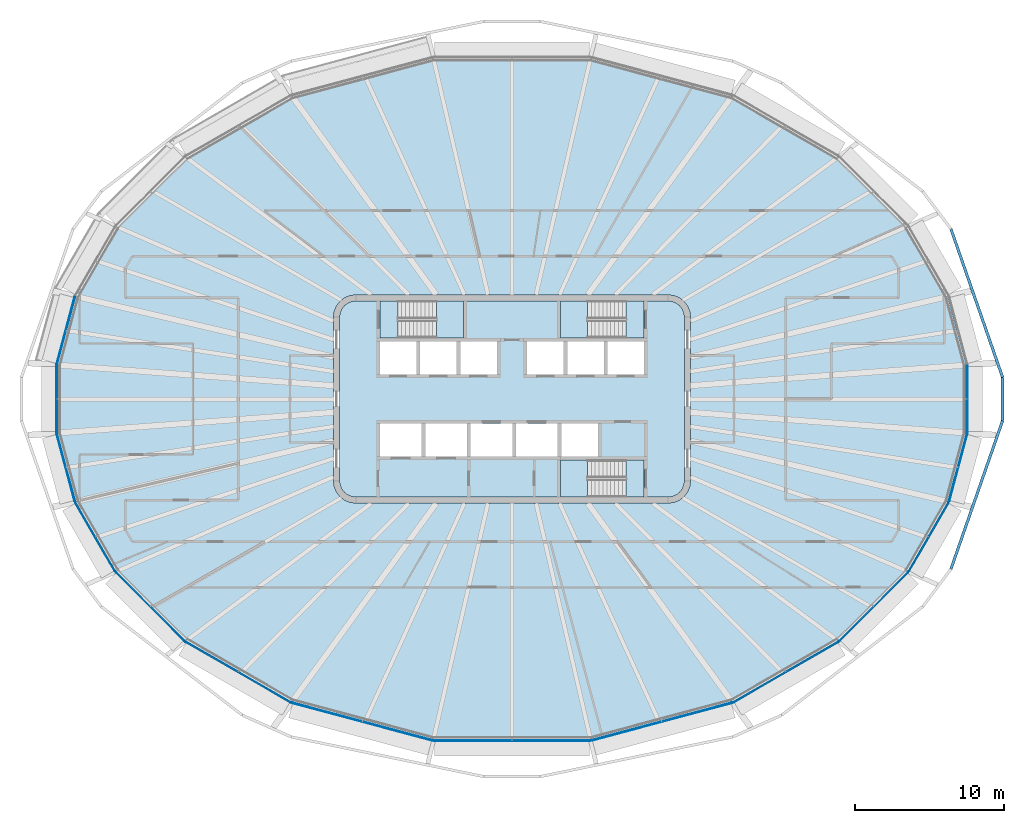
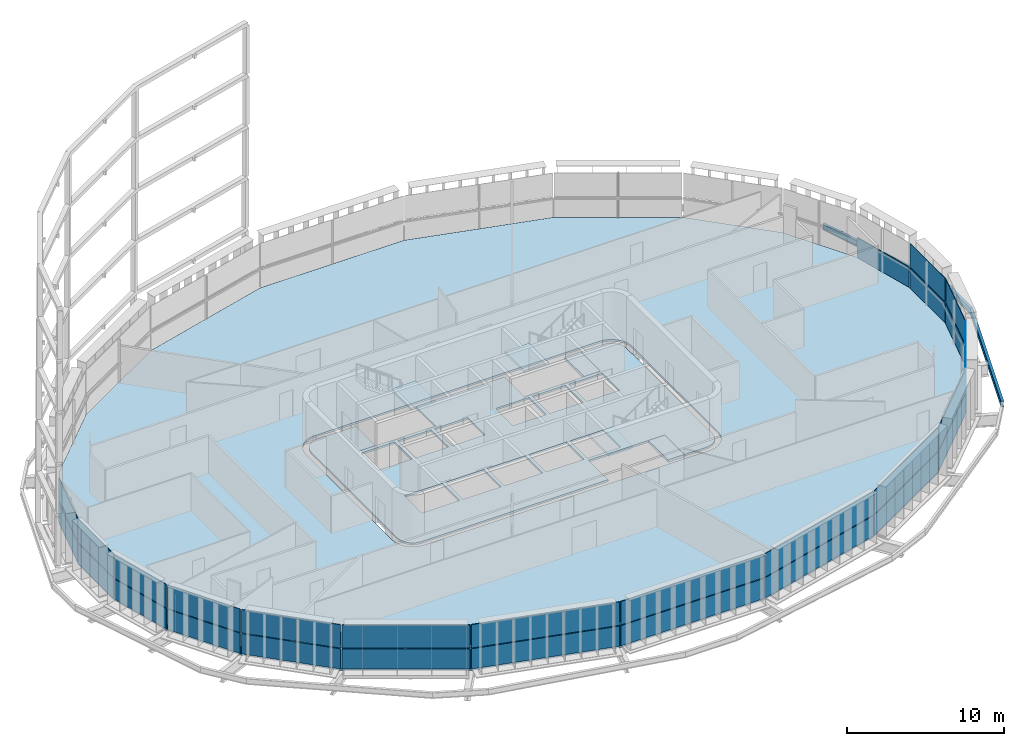
# One storey, part 8 of 20: 29 plates, 8 slabs, 3 beams, 18 elements without a shape of their own.
"""IFC4 building model written with IfcOpenShell, lengths in metres."""

from ifc_helpers import new_model, si_unit, direction, frame, origin, origin_2d, place, context, subcontext, project, spatial, polyline, i_section, outline, extrude, material, layer, layer_set, material_profile, profile_set, type_object, element, aggregate, save


model = new_model("IFC4")

# Units and contexts
model_context = context("Model", 3, precision=1e-05, world=origin(), true_north=direction((0.0, 1.0)))
body_context = subcontext(model_context, "Body", "Model", "MODEL_VIEW")
ifc_project = project(units=[si_unit("LENGTHUNIT", "METRE"), si_unit("AREAUNIT", "SQUARE_METRE"), si_unit("VOLUMEUNIT", "CUBIC_METRE"), si_unit("PLANEANGLEUNIT", "RADIAN"), si_unit("MASSUNIT", "GRAM", prefix="KILO")], contexts=[model_context])

# Site, building, storey
site_placement = place(None, origin())
site = spatial("IfcSite", under=ifc_project, at=site_placement, CompositionType="ELEMENT")
building_placement = place(site_placement, origin())
building = spatial("IfcBuilding", under=site, at=building_placement, Name="Sahrelin Media Tower", CompositionType="ELEMENT")
storey_placement = place(building_placement, frame((0.0, 0.0, 213.60009765625)))
storey = spatial("IfcBuildingStorey", under=building, at=storey_placement, Name="L45", CompositionType="ELEMENT", Elevation=213.60009765625)

# Beams
ifc_material_1 = material(Name="Steel S355", Category="steel")
ifc_material_profile = material_profile(ifc_material_1, i_section(OverallWidth=0.1904296875, OverallDepth=0.45703125, WebThickness=0.009033203125, FlangeThickness=0.014404296875, FilletRadius=0.01025390625, at=origin_2d()), Name="UB 457x191x74")
ifc_profile_set = profile_set([ifc_material_profile], Name="Steel S355")
beam_type = type_object("IfcBeamType", Name="Tie chord TC5", PredefinedType="BEAM", material=ifc_profile_set)
for number, where, z_axis, x_axis, name in (
    (1, (32.978515625, 1.457763671875, -0.378662109375), (-0.328783385731, 0.944405360673, 0.0), (-0.944405360673, -0.328783385731, 0.0), "Tie chord L45-01"),
    (2, (29.507080078125, -11.42919921875, -0.378662109375), (0.328783385731, 0.944405360673, 0.0), (-0.944405360673, 0.328783385731, 0.0), "Tie chord L45-23"),
):
    element("IfcBeam", number, at=place(storey_placement, frame(where, z_axis=z_axis, x_axis=x_axis)), inside=storey, type_object=beam_type, Name=name, PredefinedType="BEAM", context=body_context, shape_type="SweptSolid", body=[
        extrude(i_section(OverallWidth=0.1904296875, OverallDepth=0.45703125, WebThickness=0.009033203125, FlangeThickness=0.014404296875, FilletRadius=0.01025390625, at=origin_2d()), origin(), (0.0, 0.0, 1.0), 10.558349609375),
    ])
beam_placement = place(storey_placement, frame((32.978515625, -1.457763671875, -0.378662109375), z_axis=(0.0, 1.0, 0.0), x_axis=(-1.0, 0.0, 0.0)))
element("IfcBeam", 3, at=beam_placement, inside=storey, type_object=beam_type, Name="Tie chord L45-24", PredefinedType="BEAM", context=body_context, shape_type="SweptSolid", body=[
    extrude(i_section(OverallWidth=0.1904296875, OverallDepth=0.45703125, WebThickness=0.009033203125, FlangeThickness=0.014404296875, FilletRadius=0.01025390625, at=origin_2d()), origin(), (0.0, 0.0, 1.0), 2.91552734375),
])

# Slabs
ifc_material_2 = material(Name="Concrete C40/50", Category="concrete")
ifc_layer_1 = layer(ifc_material_2, 0.14990234375)
ifc_layer_set_1 = layer_set([ifc_layer_1], Name="Composite floor slab 150")
slab_type_1 = type_object("IfcSlabType", Name="Composite floor slab 150", PredefinedType="FLOOR", material=ifc_layer_set_1)
placement_1 = place(storey_placement, frame((0.0, 0.0, -0.150146484375)))
element("IfcSlab", 4, at=placement_1, inside=storey, type_object=slab_type_1, Name="Floor slab L45", PredefinedType="FLOOR", context=body_context, shape_type="SweptSolid", body=[
    extrude(outline(polyline([(30.601806640625, -2.285400390625), (30.601806640625, 2.285400390625), (29.364501953125, 6.90283203125), (26.64453125, 11.614013671875), (21.970703125, 16.28759765625), (14.8359375, 20.406982421875), (5.2998046875, 22.962158203125), (-5.2998046875, 22.962158203125), (-14.8359375, 20.406982421875), (-21.970703125, 16.28759765625), (-26.64453125, 11.614013671875), (-29.364501953125, 6.90283203125), (-30.601806640625, 2.285400390625), (-30.601806640625, -2.285400390625), (-29.364501953125, -6.90283203125), (-26.64453125, -11.614013671875), (-21.970703125, -16.28759765625), (-14.8359375, -20.406982421875), (-5.2998046875, -22.962158203125), (5.2998046875, -22.962158203125), (14.8359375, -20.406982421875), (21.970703125, -16.28759765625), (26.64453125, -11.614013671875), (29.364501953125, -6.90283203125), (30.601806640625, -2.285400390625)]), holes=[polyline([(11.948974609375, 5.88818359375), (12.0, 5.5), (12.0, -5.5), (11.948974609375, -5.88818359375), (11.799072265625, -6.25), (11.560791015625, -6.560791015625), (11.25, -6.799072265625), (10.88818359375, -6.948974609375), (10.5, -7.0), (-10.5, -7.0), (-10.88818359375, -6.948974609375), (-11.25, -6.799072265625), (-11.560791015625, -6.560791015625), (-11.799072265625, -6.25), (-11.948974609375, -5.88818359375), (-12.0, -5.5), (-12.0, 5.5), (-11.948974609375, 5.88818359375), (-11.799072265625, 6.25), (-11.560791015625, 6.560791015625), (-11.25, 6.799072265625), (-10.88818359375, 6.948974609375), (-10.5, 7.0), (10.5, 7.0), (10.88818359375, 6.948974609375), (11.25, 6.799072265625), (11.560791015625, 6.560791015625), (11.799072265625, 6.25), (11.948974609375, 5.88818359375)])]), origin(), (0.0, 0.0, 1.0), 0.150146484375),
])
ifc_layer_2 = layer(ifc_material_2, 0.14990234375)
ifc_layer_set_2 = layer_set([ifc_layer_2], Name="Core floor slab 150")
slab_type_2 = type_object("IfcSlabType", Name="Core floor slab 150", PredefinedType="FLOOR", material=ifc_layer_set_2)
element("IfcSlab", 5, at=placement_1, inside=storey, type_object=slab_type_2, Name="Core floor", PredefinedType="FLOOR", context=body_context, shape_type="SweptSolid", body=[
    extrude(outline(polyline([(-11.60009765625, -5.473876953125), (-11.55908203125, -5.78369140625), (-11.44970703125, -6.04833984375), (-11.275390625, -6.275390625), (-11.04833984375, -6.44970703125), (-10.78369140625, -6.55908203125), (-10.473876953125, -6.60009765625), (3.27490234375, -6.60009765625), (3.27490234375, -4.10009765625), (8.875, -4.10009765625), (8.875, -6.60009765625), (10.473876953125, -6.60009765625), (10.78369140625, -6.55908203125), (11.04833984375, -6.44970703125), (11.275390625, -6.275390625), (11.44970703125, -6.04833984375), (11.55908203125, -5.78369140625), (11.60009765625, -5.473876953125), (11.60009765625, 5.473876953125), (11.55908203125, 5.78369140625), (11.44970703125, 6.04833984375), (11.275390625, 6.275390625), (11.04833984375, 6.44970703125), (10.78369140625, 6.55908203125), (10.473876953125, 6.60009765625), (8.875, 6.60009765625), (8.875, 4.10009765625), (3.27490234375, 4.10009765625), (3.27490234375, 6.60009765625), (-3.27490234375, 6.60009765625), (-3.27490234375, 4.10009765625), (-8.875, 4.10009765625), (-8.875, 6.60009765625), (-10.473876953125, 6.60009765625), (-10.78369140625, 6.55908203125), (-11.04833984375, 6.44970703125), (-11.275390625, 6.275390625), (-11.44970703125, 6.04833984375), (-11.55908203125, 5.78369140625), (-11.60009765625, 5.473876953125), (-11.60009765625, -5.473876953125)]), holes=[polyline([(-8.875, 3.85009765625), (-8.875, 1.64990234375), (-6.425048828125, 1.64990234375), (-6.425048828125, 3.85009765625), (-8.875, 3.85009765625)]), polyline([(-3.72509765625, 3.85009765625), (-6.175048828125, 3.85009765625), (-6.175048828125, 1.64990234375), (-3.72509765625, 1.64990234375), (-3.72509765625, 3.85009765625)]), polyline([(-1.02490234375, 1.64990234375), (-1.02490234375, 3.85009765625), (-3.47509765625, 3.85009765625), (-3.47509765625, 1.64990234375), (-1.02490234375, 1.64990234375)]), polyline([(1.02490234375, 1.64990234375), (3.47509765625, 1.64990234375), (3.47509765625, 3.85009765625), (1.02490234375, 3.85009765625), (1.02490234375, 1.64990234375)]), polyline([(3.72509765625, 3.85009765625), (3.72509765625, 1.64990234375), (6.175048828125, 1.64990234375), (6.175048828125, 3.85009765625), (3.72509765625, 3.85009765625)]), polyline([(8.875, 3.85009765625), (6.425048828125, 3.85009765625), (6.425048828125, 1.64990234375), (8.875, 1.64990234375), (8.875, 3.85009765625)]), polyline([(-6.074951171875, -3.85009765625), (-6.074951171875, -1.64990234375), (-8.875, -1.64990234375), (-8.875, -3.85009765625), (-6.074951171875, -3.85009765625)]), polyline([(-5.824951171875, -3.85009765625), (-3.02490234375, -3.85009765625), (-3.02490234375, -1.64990234375), (-5.824951171875, -1.64990234375), (-5.824951171875, -3.85009765625)]), polyline([(-2.77490234375, -1.64990234375), (-2.77490234375, -3.85009765625), (0.02490234375, -3.85009765625), (0.02490234375, -1.64990234375), (-2.77490234375, -1.64990234375)]), polyline([(3.074951171875, -1.64990234375), (0.27490234375, -1.64990234375), (0.27490234375, -3.85009765625), (3.074951171875, -3.85009765625), (3.074951171875, -1.64990234375)]), polyline([(5.77490234375, -3.85009765625), (5.77490234375, -1.64990234375), (3.324951171875, -1.64990234375), (3.324951171875, -3.85009765625), (5.77490234375, -3.85009765625)])]), origin(), (0.0, 0.0, 1.0), 0.150146484375),
])

# Curtain wall, plate
ifc_material_3 = material(Name="Champagne anodised aluminium 6063-T6", Category="aluminium")
ifc_layer_3 = layer(ifc_material_3, 0.14990234375)
ifc_layer_set_3 = layer_set([ifc_layer_3], Name="Tower ribbon curtain wall")
curtain_wall_type = type_object("IfcCurtainWallType", Name="Tower ribbon curtain wall", PredefinedType="NOTDEFINED", material=ifc_layer_set_3)
curtain_wall_1_placement = place(storey_placement, frame((30.621826171875, 0.0, 0.0), z_axis=(0.0, 0.0, 1.0), x_axis=(1.0, 0.0, 0.0)))
curtain_wall_1 = element("IfcCurtainWall", 6, at=curtain_wall_1_placement, inside=storey, type_object=curtain_wall_type, Name="L45:CW:L45-00", PredefinedType="NOTDEFINED")
ifc_material_4 = material(Name="Clear low-iron glazing", Category="glass")
ifc_layer_4 = layer(ifc_material_4, 0.0439453125)
ifc_layer_set_4 = layer_set([ifc_layer_4], Name="Glazing panel 44 mm CW1B")
plate_type_1 = type_object("IfcPlateType", Name="Glazing panel 44 mm CW1B", PredefinedType="CURTAIN_PANEL", material=ifc_layer_set_4)
plate_1_placement = place(storey_placement, frame((30.641845703125, -2.238037109375, 1.6298828125), z_axis=(1.0, 0.0, 0.0), x_axis=(0.0, 1.0, 0.0)))
plate_1 = element("IfcPlate", 7, at=plate_1_placement, type_object=plate_type_1, Name="L45:CWP2:L45-00", PredefinedType="CURTAIN_PANEL", context=body_context, shape_type="SweptSolid", body=[
    extrude(outline(polyline([(0.0, 0.0), (4.47607421875, 0.0), (4.47607421875, 1.818603515625), (0.0, 1.818603515625), (0.0, 0.0)])), origin(), (0.0, 0.0, -1.0), 0.0439453125),
])

curtain_wall_2_placement = place(storey_placement, frame((-30.00244140625, 4.59912109375, 0.0), z_axis=(0.0, 0.0, 1.0), x_axis=(1.0, 0.0, 0.0)))
curtain_wall_2 = element("IfcCurtainWall", 8, at=curtain_wall_2_placement, inside=storey, type_object=curtain_wall_type, Name="L45:CW:L45-11", PredefinedType="NOTDEFINED")
plate_2_placement = place(storey_placement, frame((-29.41552734375, 6.867431640625, 1.6298828125), z_axis=(-0.965928980275, 0.258807273979, 0.0), x_axis=(-0.258807273979, -0.965928980275, 0.0)))
plate_2 = element("IfcPlate", 9, at=plate_2_placement, type_object=plate_type_1, Name="L45:CWP2:L45-11", PredefinedType="CURTAIN_PANEL", context=body_context, shape_type="SweptSolid", body=[
    extrude(outline(polyline([(0.0, 0.0), (4.685546875, 0.0), (4.685546875, 1.818603515625), (0.0, 1.818603515625), (0.0, 0.0)])), origin(), (0.0, 0.0, -1.0), 0.0439453125),
])

curtain_wall_3_placement = place(storey_placement, frame((-30.621826171875, 0.0, 0.0), z_axis=(0.0, 0.0, 1.0), x_axis=(1.0, 0.0, 0.0)))
curtain_wall_3 = element("IfcCurtainWall", 10, at=curtain_wall_3_placement, inside=storey, type_object=curtain_wall_type, Name="L45:CW:L45-12", PredefinedType="NOTDEFINED")
plate_3_placement = place(storey_placement, frame((-30.641845703125, 2.238037109375, 1.6298828125), z_axis=(-1.0, 0.0, 0.0), x_axis=(0.0, -1.0, 0.0)))
plate_3 = element("IfcPlate", 11, at=plate_3_placement, type_object=plate_type_1, Name="L45:CWP2:L45-12", PredefinedType="CURTAIN_PANEL", context=body_context, shape_type="SweptSolid", body=[
    extrude(outline(polyline([(0.0, 0.0), (4.47607421875, 0.0), (4.47607421875, 1.818603515625), (0.0, 1.818603515625), (0.0, 0.0)])), origin(), (0.0, 0.0, -1.0), 0.0439453125),
])

curtain_wall_4_placement = place(storey_placement, frame((-30.00244140625, -4.599365234375, 0.0), z_axis=(0.0, 0.0, 1.0), x_axis=(1.0, 0.0, 0.0)))
curtain_wall_4 = element("IfcCurtainWall", 12, at=curtain_wall_4_placement, inside=storey, type_object=curtain_wall_type, Name="L45:CW:L45-13", PredefinedType="NOTDEFINED")
plate_4_placement = place(storey_placement, frame((-30.628173828125, -2.341552734375, 1.6298828125), z_axis=(-0.965928980275, -0.258807273979, 0.0), x_axis=(0.258807273979, -0.965928980275, 0.0)))
plate_4 = element("IfcPlate", 13, at=plate_4_placement, type_object=plate_type_1, Name="L45:CWP2:L45-13", PredefinedType="CURTAIN_PANEL", context=body_context, shape_type="SweptSolid", body=[
    extrude(outline(polyline([(0.0, 0.0), (4.685546875, 0.0), (4.685546875, 1.818603515625), (0.0, 1.818603515625), (0.0, 0.0)])), origin(), (0.0, 0.0, -1.0), 0.0439453125),
])

curtain_wall_5_placement = place(storey_placement, frame((-28.02197265625, -9.268310546875, 0.0), z_axis=(0.0, 0.0, 1.0), x_axis=(1.0, 0.0, 0.0)))
curtain_wall_5 = element("IfcCurtainWall", 14, at=curtain_wall_5_placement, inside=storey, type_object=curtain_wall_type, Name="L45:CW:L45-14", PredefinedType="NOTDEFINED")
plate_5_placement = place(storey_placement, frame((-29.37548828125, -6.9638671875, 1.6298828125), z_axis=(-0.866028142048, -0.499995257159, 0.0), x_axis=(0.499995257159, -0.866028142048, 0.0)))
plate_5 = element("IfcPlate", 15, at=plate_5_placement, type_object=plate_type_1, Name="L45:CWP2:L45-14", PredefinedType="CURTAIN_PANEL", context=body_context, shape_type="SweptSolid", body=[
    extrude(outline(polyline([(0.0, 0.0), (5.34521484375, 0.0), (5.34521484375, 1.818603515625), (0.0, 1.818603515625), (0.0, 0.0)])), origin(), (0.0, 0.0, -1.0), 0.0439453125),
])

curtain_wall_6_placement = place(storey_placement, frame((-24.32177734375, -13.96484375, 0.0), z_axis=(0.0, 0.0, 1.0), x_axis=(1.0, 0.0, 0.0)))
curtain_wall_6 = element("IfcCurtainWall", 16, at=curtain_wall_6_placement, inside=storey, type_object=curtain_wall_type, Name="L45:CW:L45-15", PredefinedType="NOTDEFINED")
plate_6_placement = place(storey_placement, frame((-26.639404296875, -11.67578125, 1.6298828125), z_axis=(-0.707088044173, -0.707125517703, 0.0), x_axis=(0.707125517703, -0.707088044173, 0.0)))
plate_6 = element("IfcPlate", 17, at=plate_6_placement, type_object=plate_type_1, Name="L45:CWP2:L45-15", PredefinedType="CURTAIN_PANEL", context=body_context, shape_type="SweptSolid", body=[
    extrude(outline(polyline([(0.0, 0.0), (6.51513671875, 0.0), (6.51513671875, 1.818603515625), (0.0, 1.818603515625), (0.0, 0.0)])), origin(), (0.0, 0.0, -1.0), 0.0439453125),
])

curtain_wall_7_placement = place(storey_placement, frame((-18.413330078125, -18.364501953125, 0.0), z_axis=(0.0, 0.0, 1.0), x_axis=(1.0, 0.0, 0.0)))
curtain_wall_7 = element("IfcCurtainWall", 18, at=curtain_wall_7_placement, inside=storey, type_object=curtain_wall_type, Name="L45:CW:L45-16", PredefinedType="NOTDEFINED")
plate_7_placement = place(storey_placement, frame((-21.94970703125, -16.345947265625, 1.6298828125), z_axis=(-0.500011363838, -0.86601884277, 0.0), x_axis=(0.86601884277, -0.500011363838, 0.0)))
plate_7 = element("IfcPlate", 19, at=plate_7_placement, type_object=plate_type_1, Name="L45:CWP2:L45-16", PredefinedType="CURTAIN_PANEL", context=body_context, shape_type="SweptSolid", body=[
    extrude(outline(polyline([(0.0, 0.0), (8.143798828125, 0.0), (8.143798828125, 1.818603515625), (0.0, 1.818603515625), (0.0, 0.0)])), origin(), (0.0, 0.0, -1.0), 0.0439453125),
])

curtain_wall_8_placement = place(storey_placement, frame((-10.072998046875, -21.703857421875, 0.0), z_axis=(0.0, 0.0, 1.0), x_axis=(1.0, 0.0, 0.0)))
curtain_wall_8 = element("IfcCurtainWall", 20, at=curtain_wall_8_placement, inside=storey, type_object=curtain_wall_type, Name="L45:CW:L45-17", PredefinedType="NOTDEFINED")
plate_8_placement = place(storey_placement, frame((-14.800537109375, -20.4580078125, 1.6298828125), z_axis=(-0.258804729168, -0.965929662118, 0.0), x_axis=(0.965929662118, -0.258804729168, 0.0)))
plate_8 = element("IfcPlate", 21, at=plate_8_placement, type_object=plate_type_1, Name="L45:CWP2:L45-17", PredefinedType="CURTAIN_PANEL", context=body_context, shape_type="SweptSolid", body=[
    extrude(outline(polyline([(0.0, 0.0), (9.777587890625, 0.0), (9.777587890625, 1.818603515625), (0.0, 1.818603515625), (0.0, 0.0)])), origin(), (0.0, 0.0, -1.0), 0.0439453125),
])

curtain_wall_9_placement = place(storey_placement, frame((0.0, -22.982177734375, 0.0), z_axis=(0.0, 0.0, 1.0), x_axis=(1.0, 0.0, 0.0)))
curtain_wall_9 = element("IfcCurtainWall", 22, at=curtain_wall_9_placement, inside=storey, type_object=curtain_wall_type, Name="L45:CW:L45-18", PredefinedType="NOTDEFINED")
plate_9_placement = place(storey_placement, frame((-5.25244140625, -23.002197265625, 1.6298828125), z_axis=(0.0, -1.0, 0.0), x_axis=(1.0, 0.0, 0.0)))
plate_9 = element("IfcPlate", 23, at=plate_9_placement, type_object=plate_type_1, Name="L45:CWP2:L45-18", PredefinedType="CURTAIN_PANEL", context=body_context, shape_type="SweptSolid", body=[
    extrude(outline(polyline([(0.0, 0.0), (10.5048828125, 0.0), (10.5048828125, 1.818603515625), (0.0, 1.818603515625), (0.0, 0.0)])), origin(), (0.0, 0.0, -1.0), 0.0439453125),
])

curtain_wall_10_placement = place(storey_placement, frame((10.072998046875, -21.703857421875, 0.0), z_axis=(0.0, 0.0, 1.0), x_axis=(1.0, 0.0, 0.0)))
curtain_wall_10 = element("IfcCurtainWall", 24, at=curtain_wall_10_placement, inside=storey, type_object=curtain_wall_type, Name="L45:CW:L45-19", PredefinedType="NOTDEFINED")
plate_10_placement = place(storey_placement, frame((5.35595703125, -22.988525390625, 1.6298828125), z_axis=(0.258804729168, -0.965929662118, 0.0), x_axis=(0.965929662118, 0.258804729168, 0.0)))
plate_10 = element("IfcPlate", 25, at=plate_10_placement, type_object=plate_type_1, Name="L45:CWP2:L45-19", PredefinedType="CURTAIN_PANEL", context=body_context, shape_type="SweptSolid", body=[
    extrude(outline(polyline([(0.0, 0.0), (9.777587890625, 0.0), (9.777587890625, 1.818603515625), (0.0, 1.818603515625), (0.0, 0.0)])), origin(), (0.0, 0.0, -1.0), 0.0439453125),
])

curtain_wall_11_placement = place(storey_placement, frame((18.413330078125, -18.36474609375, 0.0), z_axis=(0.0, 0.0, 1.0), x_axis=(1.0, 0.0, 0.0)))
curtain_wall_11 = element("IfcCurtainWall", 26, at=curtain_wall_11_placement, inside=storey, type_object=curtain_wall_type, Name="L45:CW:L45-20", PredefinedType="NOTDEFINED")
plate_11_placement = place(storey_placement, frame((14.89697265625, -20.41796875, 1.6298828125), z_axis=(0.500011363838, -0.86601884277, 0.0), x_axis=(0.86601884277, 0.500011363838, 0.0)))
plate_11 = element("IfcPlate", 27, at=plate_11_placement, type_object=plate_type_1, Name="L45:CWP2:L45-20", PredefinedType="CURTAIN_PANEL", context=body_context, shape_type="SweptSolid", body=[
    extrude(outline(polyline([(0.0, 0.0), (8.143798828125, 0.0), (8.143798828125, 1.818603515625), (0.0, 1.818603515625), (0.0, 0.0)])), origin(), (0.0, 0.0, -1.0), 0.0439453125),
])

curtain_wall_12_placement = place(storey_placement, frame((24.32177734375, -13.965087890625, 0.0), z_axis=(0.0, 0.0, 1.0), x_axis=(1.0, 0.0, 0.0)))
curtain_wall_12 = element("IfcCurtainWall", 28, at=curtain_wall_12_placement, inside=storey, type_object=curtain_wall_type, Name="L45:CW:L45-21", PredefinedType="NOTDEFINED")
plate_12_placement = place(storey_placement, frame((22.032470703125, -16.282470703125, 1.6298828125), z_axis=(0.707088044173, -0.707125517703, 0.0), x_axis=(0.707125517703, 0.707088044173, 0.0)))
plate_12 = element("IfcPlate", 29, at=plate_12_placement, type_object=plate_type_1, Name="L45:CWP2:L45-21", PredefinedType="CURTAIN_PANEL", context=body_context, shape_type="SweptSolid", body=[
    extrude(outline(polyline([(0.0, 0.0), (6.51513671875, 0.0), (6.51513671875, 1.818603515625), (0.0, 1.818603515625), (0.0, 0.0)])), origin(), (0.0, 0.0, -1.0), 0.0439453125),
])

curtain_wall_13_placement = place(storey_placement, frame((28.02197265625, -9.268310546875, 0.0), z_axis=(0.0, 0.0, 1.0), x_axis=(1.0, 0.0, 0.0)))
curtain_wall_13 = element("IfcCurtainWall", 30, at=curtain_wall_13_placement, inside=storey, type_object=curtain_wall_type, Name="L45:CW:L45-22", PredefinedType="NOTDEFINED")
plate_13_placement = place(storey_placement, frame((26.702880859375, -11.593017578125, 1.6298828125), z_axis=(0.866028142048, -0.499995257159, 0.0), x_axis=(0.499995257159, 0.866028142048, 0.0)))
plate_13 = element("IfcPlate", 31, at=plate_13_placement, type_object=plate_type_1, Name="L45:CWP2:L45-22", PredefinedType="CURTAIN_PANEL", context=body_context, shape_type="SweptSolid", body=[
    extrude(outline(polyline([(0.0, 0.0), (5.34521484375, 0.0), (5.34521484375, 1.818603515625), (0.0, 1.818603515625), (0.0, 0.0)])), origin(), (0.0, 0.0, -1.0), 0.0439453125),
])

curtain_wall_14_placement = place(storey_placement, frame((30.00244140625, -4.59912109375, 0.0), z_axis=(0.0, 0.0, 1.0), x_axis=(1.0, 0.0, 0.0)))
curtain_wall_14 = element("IfcCurtainWall", 32, at=curtain_wall_14_placement, inside=storey, type_object=curtain_wall_type, Name="L45:CW:L45-23", PredefinedType="NOTDEFINED")
plate_14_placement = place(storey_placement, frame((29.41552734375, -6.867431640625, 1.6298828125), z_axis=(0.965928980275, -0.258807273979, 0.0), x_axis=(0.258807273979, 0.965928980275, 0.0)))
plate_14 = element("IfcPlate", 33, at=plate_14_placement, type_object=plate_type_1, Name="L45:CWP2:L45-23", PredefinedType="CURTAIN_PANEL", context=body_context, shape_type="SweptSolid", body=[
    extrude(outline(polyline([(0.0, 0.0), (4.685546875, 0.0), (4.685546875, 1.818603515625), (0.0, 1.818603515625), (0.0, 0.0)])), origin(), (0.0, 0.0, -1.0), 0.0439453125),
])

# Plate
ifc_material_5 = material(Name="Insulated spandrel panel")
ifc_layer_5 = layer(ifc_material_5, 0.06005859375)
ifc_layer_set_5 = layer_set([ifc_layer_5], Name="Spandrel panel 60 mm CW1")
plate_type_2 = type_object("IfcPlateType", Name="Spandrel panel 60 mm CW1", PredefinedType="SHEET", material=ifc_layer_set_5)
plate_15_placement = place(storey_placement, frame((30.641845703125, -2.238037109375, 0.0), z_axis=(1.0, 0.0, 0.0), x_axis=(0.0, 1.0, 0.0)))
plate_15 = element("IfcPlate", 34, at=plate_15_placement, type_object=plate_type_2, Name="L45:CWP1:L45-00", PredefinedType="SHEET", context=body_context, shape_type="SweptSolid", body=[
    extrude(outline(polyline([(0.0, 0.0), (4.47607421875, 0.0), (4.47607421875, 1.56982421875), (0.0, 1.56982421875), (0.0, 0.0)])), origin(), (0.0, 0.0, -1.0), 0.06005859375),
])

aggregate(curtain_wall_1, [plate_15, plate_1])

# Curtain wall, plate
curtain_wall_15_placement = place(storey_placement, frame((30.00244140625, 4.599365234375, 0.0), z_axis=(0.0, 0.0, 1.0), x_axis=(1.0, 0.0, 0.0)))
curtain_wall_15 = element("IfcCurtainWall", 35, at=curtain_wall_15_placement, inside=storey, type_object=curtain_wall_type, Name="L45:CW:L45-01", PredefinedType="NOTDEFINED")
plate_16_placement = place(storey_placement, frame((30.628173828125, 2.341552734375, 0.0), z_axis=(0.965928980275, 0.258807273979, 0.0), x_axis=(-0.258807273979, 0.965928980275, 0.0)))
plate_16 = element("IfcPlate", 36, at=plate_16_placement, type_object=plate_type_2, Name="L45:CWP1:L45-01", PredefinedType="SHEET", context=body_context, shape_type="SweptSolid", body=[
    extrude(outline(polyline([(0.0, 0.0), (4.685546875, 0.0), (4.685546875, 1.56982421875), (0.0, 1.56982421875), (0.0, 0.0)])), origin(), (0.0, 0.0, -1.0), 0.06005859375),
])
aggregate(curtain_wall_15, [plate_16])

# Plate
plate_17_placement = place(storey_placement, frame((-29.41552734375, 6.867431640625, 0.0), z_axis=(-0.965928980275, 0.258807273979, 0.0), x_axis=(-0.258807273979, -0.965928980275, 0.0)))
plate_17 = element("IfcPlate", 37, at=plate_17_placement, type_object=plate_type_2, Name="L45:CWP1:L45-11", PredefinedType="SHEET", context=body_context, shape_type="SweptSolid", body=[
    extrude(outline(polyline([(0.0, 0.0), (4.685546875, 0.0), (4.685546875, 1.56982421875), (0.0, 1.56982421875), (0.0, 0.0)])), origin(), (0.0, 0.0, -1.0), 0.06005859375),
])

aggregate(curtain_wall_2, [plate_17, plate_2])

plate_18_placement = place(storey_placement, frame((-30.641845703125, 2.238037109375, 0.0), z_axis=(-1.0, 0.0, 0.0), x_axis=(0.0, -1.0, 0.0)))
plate_18 = element("IfcPlate", 38, at=plate_18_placement, type_object=plate_type_2, Name="L45:CWP1:L45-12", PredefinedType="SHEET", context=body_context, shape_type="SweptSolid", body=[
    extrude(outline(polyline([(0.0, 0.0), (4.47607421875, 0.0), (4.47607421875, 1.56982421875), (0.0, 1.56982421875), (0.0, 0.0)])), origin(), (0.0, 0.0, -1.0), 0.06005859375),
])

aggregate(curtain_wall_3, [plate_18, plate_3])

plate_19_placement = place(storey_placement, frame((-30.628173828125, -2.341552734375, 0.0), z_axis=(-0.965928980275, -0.258807273979, 0.0), x_axis=(0.258807273979, -0.965928980275, 0.0)))
plate_19 = element("IfcPlate", 39, at=plate_19_placement, type_object=plate_type_2, Name="L45:CWP1:L45-13", PredefinedType="SHEET", context=body_context, shape_type="SweptSolid", body=[
    extrude(outline(polyline([(0.0, 0.0), (4.685546875, 0.0), (4.685546875, 1.56982421875), (0.0, 1.56982421875), (0.0, 0.0)])), origin(), (0.0, 0.0, -1.0), 0.06005859375),
])

aggregate(curtain_wall_4, [plate_19, plate_4])

plate_20_placement = place(storey_placement, frame((-29.37548828125, -6.9638671875, 0.0), z_axis=(-0.866028142048, -0.499995257159, 0.0), x_axis=(0.499995257159, -0.866028142048, 0.0)))
plate_20 = element("IfcPlate", 40, at=plate_20_placement, type_object=plate_type_2, Name="L45:CWP1:L45-14", PredefinedType="SHEET", context=body_context, shape_type="SweptSolid", body=[
    extrude(outline(polyline([(0.0, 0.0), (5.34521484375, 0.0), (5.34521484375, 1.56982421875), (0.0, 1.56982421875), (0.0, 0.0)])), origin(), (0.0, 0.0, -1.0), 0.06005859375),
])

aggregate(curtain_wall_5, [plate_20, plate_5])

plate_21_placement = place(storey_placement, frame((-26.639404296875, -11.67578125, 0.0), z_axis=(-0.707088044173, -0.707125517703, 0.0), x_axis=(0.707125517703, -0.707088044173, 0.0)))
plate_21 = element("IfcPlate", 41, at=plate_21_placement, type_object=plate_type_2, Name="L45:CWP1:L45-15", PredefinedType="SHEET", context=body_context, shape_type="SweptSolid", body=[
    extrude(outline(polyline([(0.0, 0.0), (6.51513671875, 0.0), (6.51513671875, 1.56982421875), (0.0, 1.56982421875), (0.0, 0.0)])), origin(), (0.0, 0.0, -1.0), 0.06005859375),
])

aggregate(curtain_wall_6, [plate_21, plate_6])

plate_22_placement = place(storey_placement, frame((-21.94970703125, -16.345947265625, 0.0), z_axis=(-0.500011363838, -0.86601884277, 0.0), x_axis=(0.86601884277, -0.500011363838, 0.0)))
plate_22 = element("IfcPlate", 42, at=plate_22_placement, type_object=plate_type_2, Name="L45:CWP1:L45-16", PredefinedType="SHEET", context=body_context, shape_type="SweptSolid", body=[
    extrude(outline(polyline([(0.0, 0.0), (8.143798828125, 0.0), (8.143798828125, 1.56982421875), (0.0, 1.56982421875), (0.0, 0.0)])), origin(), (0.0, 0.0, -1.0), 0.06005859375),
])

aggregate(curtain_wall_7, [plate_22, plate_7])

plate_23_placement = place(storey_placement, frame((-14.800537109375, -20.4580078125, 0.0), z_axis=(-0.258804729168, -0.965929662118, 0.0), x_axis=(0.965929662118, -0.258804729168, 0.0)))
plate_23 = element("IfcPlate", 43, at=plate_23_placement, type_object=plate_type_2, Name="L45:CWP1:L45-17", PredefinedType="SHEET", context=body_context, shape_type="SweptSolid", body=[
    extrude(outline(polyline([(0.0, 0.0), (9.777587890625, 0.0), (9.777587890625, 1.56982421875), (0.0, 1.56982421875), (0.0, 0.0)])), origin(), (0.0, 0.0, -1.0), 0.06005859375),
])

aggregate(curtain_wall_8, [plate_23, plate_8])

plate_24_placement = place(storey_placement, frame((-5.25244140625, -23.002197265625, 0.0), z_axis=(0.0, -1.0, 0.0), x_axis=(1.0, 0.0, 0.0)))
plate_24 = element("IfcPlate", 44, at=plate_24_placement, type_object=plate_type_2, Name="L45:CWP1:L45-18", PredefinedType="SHEET", context=body_context, shape_type="SweptSolid", body=[
    extrude(outline(polyline([(0.0, 0.0), (10.5048828125, 0.0), (10.5048828125, 1.56982421875), (0.0, 1.56982421875), (0.0, 0.0)])), origin(), (0.0, 0.0, -1.0), 0.06005859375),
])

aggregate(curtain_wall_9, [plate_24, plate_9])

plate_25_placement = place(storey_placement, frame((5.35595703125, -22.988525390625, 0.0), z_axis=(0.258804729168, -0.965929662118, 0.0), x_axis=(0.965929662118, 0.258804729168, 0.0)))
plate_25 = element("IfcPlate", 45, at=plate_25_placement, type_object=plate_type_2, Name="L45:CWP1:L45-19", PredefinedType="SHEET", context=body_context, shape_type="SweptSolid", body=[
    extrude(outline(polyline([(0.0, 0.0), (9.777587890625, 0.0), (9.777587890625, 1.56982421875), (0.0, 1.56982421875), (0.0, 0.0)])), origin(), (0.0, 0.0, -1.0), 0.06005859375),
])

aggregate(curtain_wall_10, [plate_25, plate_10])

plate_26_placement = place(storey_placement, frame((14.89697265625, -20.41796875, 0.0), z_axis=(0.500011363838, -0.86601884277, 0.0), x_axis=(0.86601884277, 0.500011363838, 0.0)))
plate_26 = element("IfcPlate", 46, at=plate_26_placement, type_object=plate_type_2, Name="L45:CWP1:L45-20", PredefinedType="SHEET", context=body_context, shape_type="SweptSolid", body=[
    extrude(outline(polyline([(0.0, 0.0), (8.143798828125, 0.0), (8.143798828125, 1.56982421875), (0.0, 1.56982421875), (0.0, 0.0)])), origin(), (0.0, 0.0, -1.0), 0.06005859375),
])

aggregate(curtain_wall_11, [plate_26, plate_11])

plate_27_placement = place(storey_placement, frame((22.032470703125, -16.282470703125, 0.0), z_axis=(0.707088044173, -0.707125517703, 0.0), x_axis=(0.707125517703, 0.707088044173, 0.0)))
plate_27 = element("IfcPlate", 47, at=plate_27_placement, type_object=plate_type_2, Name="L45:CWP1:L45-21", PredefinedType="SHEET", context=body_context, shape_type="SweptSolid", body=[
    extrude(outline(polyline([(0.0, 0.0), (6.51513671875, 0.0), (6.51513671875, 1.56982421875), (0.0, 1.56982421875), (0.0, 0.0)])), origin(), (0.0, 0.0, -1.0), 0.06005859375),
])

aggregate(curtain_wall_12, [plate_27, plate_12])

plate_28_placement = place(storey_placement, frame((26.702880859375, -11.593017578125, 0.0), z_axis=(0.866028142048, -0.499995257159, 0.0), x_axis=(0.499995257159, 0.866028142048, 0.0)))
plate_28 = element("IfcPlate", 48, at=plate_28_placement, type_object=plate_type_2, Name="L45:CWP1:L45-22", PredefinedType="SHEET", context=body_context, shape_type="SweptSolid", body=[
    extrude(outline(polyline([(0.0, 0.0), (5.34521484375, 0.0), (5.34521484375, 1.56982421875), (0.0, 1.56982421875), (0.0, 0.0)])), origin(), (0.0, 0.0, -1.0), 0.06005859375),
])

aggregate(curtain_wall_13, [plate_28, plate_13])

plate_29_placement = place(storey_placement, frame((29.41552734375, -6.867431640625, 0.0), z_axis=(0.965928980275, -0.258807273979, 0.0), x_axis=(0.258807273979, 0.965928980275, 0.0)))
plate_29 = element("IfcPlate", 49, at=plate_29_placement, type_object=plate_type_2, Name="L45:CWP1:L45-23", PredefinedType="SHEET", context=body_context, shape_type="SweptSolid", body=[
    extrude(outline(polyline([(0.0, 0.0), (4.685546875, 0.0), (4.685546875, 1.56982421875), (0.0, 1.56982421875), (0.0, 0.0)])), origin(), (0.0, 0.0, -1.0), 0.06005859375),
])

aggregate(curtain_wall_14, [plate_29, plate_14])

# Stair, slabs
stair_type = type_object("IfcStairType", Name="Exit stair 1200", PredefinedType="HALF_TURN_STAIR", material=ifc_material_2)
placement_2 = place(storey_placement, origin())
stair_1 = element("IfcStair", 50, at=placement_2, inside=storey, type_object=stair_type, Name="L45 Exit stair ST1", PredefinedType="HALF_TURN_STAIR")
ifc_layer_6 = layer(ifc_material_2, 0.199951171875)
ifc_layer_set_6 = layer_set([ifc_layer_6], Name="Stair landing 200")
slab_type_3 = type_object("IfcSlabType", Name="Stair landing 200", PredefinedType="LANDING", material=ifc_layer_set_6)
placement_3 = place(storey_placement, frame((0.0, 0.0, 1.7998046875)))
slab_3 = element("IfcSlab", 51, at=placement_3, type_object=slab_type_3, Name="ST1 landing 1", PredefinedType="LANDING", context=body_context, shape_type="SweptSolid", body=[
    extrude(outline(polyline([(-5.074951171875, 4.10009765625), (-3.27490234375, 4.10009765625), (-3.27490234375, 6.60009765625), (-5.074951171875, 6.60009765625), (-5.074951171875, 4.10009765625)])), origin(), (0.0, 0.0, 1.0), 0.2001953125),
])
placement_4 = place(storey_placement, frame((0.0, 0.0, -0.2001953125)))
slab_4 = element("IfcSlab", 52, at=placement_4, type_object=slab_type_3, Name="ST1 landing 2", PredefinedType="LANDING", context=body_context, shape_type="SweptSolid", body=[
    extrude(outline(polyline([(-8.875, 4.10009765625), (-7.675048828125, 4.10009765625), (-7.675048828125, 6.60009765625), (-8.875, 6.60009765625), (-8.875, 4.10009765625)])), origin(), (0.0, 0.0, 1.0), 0.2001953125),
])
aggregate(stair_1, [slab_3, slab_4])

stair_2 = element("IfcStair", 53, at=placement_2, inside=storey, type_object=stair_type, Name="L45 Exit stair ST3", PredefinedType="HALF_TURN_STAIR")
slab_5 = element("IfcSlab", 54, at=placement_3, type_object=slab_type_3, Name="ST3 landing 1", PredefinedType="LANDING", context=body_context, shape_type="SweptSolid", body=[
    extrude(outline(polyline([(5.074951171875, 6.60009765625), (3.27490234375, 6.60009765625), (3.27490234375, 4.10009765625), (5.074951171875, 4.10009765625), (5.074951171875, 6.60009765625)])), origin(), (0.0, 0.0, 1.0), 0.2001953125),
])
slab_6 = element("IfcSlab", 55, at=placement_4, type_object=slab_type_3, Name="ST3 landing 2", PredefinedType="LANDING", context=body_context, shape_type="SweptSolid", body=[
    extrude(outline(polyline([(8.875, 6.60009765625), (7.675048828125, 6.60009765625), (7.675048828125, 4.10009765625), (8.875, 4.10009765625), (8.875, 6.60009765625)])), origin(), (0.0, 0.0, 1.0), 0.2001953125),
])
aggregate(stair_2, [slab_5, slab_6])

stair_3 = element("IfcStair", 56, at=placement_2, inside=storey, type_object=stair_type, Name="L45 Exit stair ST2", PredefinedType="HALF_TURN_STAIR")
slab_7 = element("IfcSlab", 57, at=placement_3, type_object=slab_type_3, Name="ST2 landing 1", PredefinedType="LANDING", context=body_context, shape_type="SweptSolid", body=[
    extrude(outline(polyline([(5.074951171875, -4.10009765625), (3.27490234375, -4.10009765625), (3.27490234375, -6.60009765625), (5.074951171875, -6.60009765625), (5.074951171875, -4.10009765625)])), origin(), (0.0, 0.0, 1.0), 0.2001953125),
])
slab_8 = element("IfcSlab", 58, at=placement_4, type_object=slab_type_3, Name="ST2 landing 2", PredefinedType="LANDING", context=body_context, shape_type="SweptSolid", body=[
    extrude(outline(polyline([(8.875, -4.10009765625), (7.675048828125, -4.10009765625), (7.675048828125, -6.60009765625), (8.875, -6.60009765625), (8.875, -4.10009765625)])), origin(), (0.0, 0.0, 1.0), 0.2001953125),
])
aggregate(stair_3, [slab_7, slab_8])

save(model, "model.ifc")
